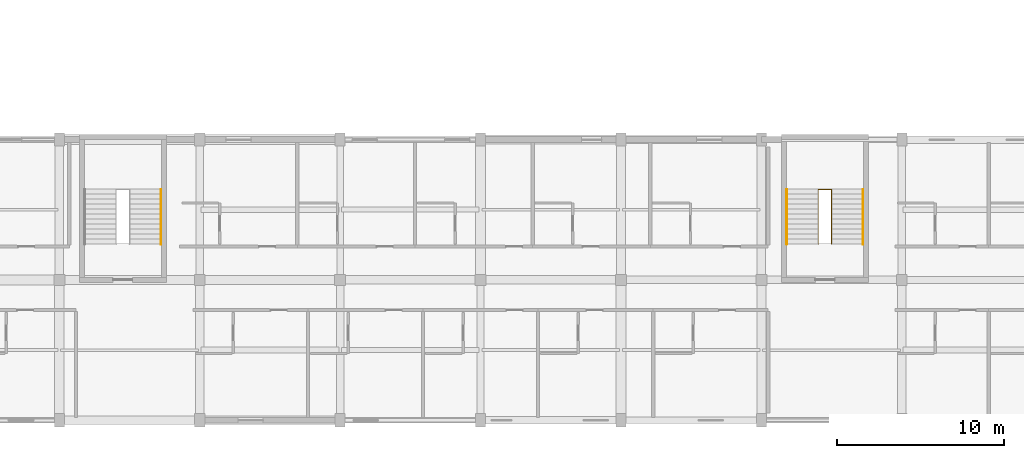
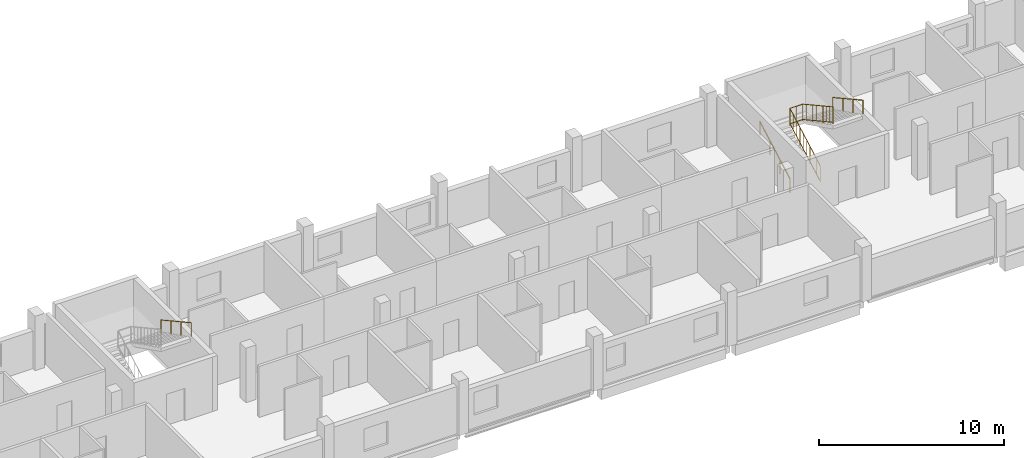
# One storey, part 26 of 26: 4 railings.
"""IFC4 building model written with IfcOpenShell, lengths in metres."""

from ifc_helpers import new_model, si_unit, derived_unit, direction, frame, origin, origin_2d, place, context, subcontext, project, spatial, circle, extrude, material, layer, layer_set, type_object, element, save


model = new_model("IFC4")

# Units and contexts
model_context = context("Model", 3, precision=1e-05, world=origin(), true_north=direction((0.0, 1.0)))
body_context = subcontext(model_context, "Body", "Model", "MODEL_VIEW")
ifc_project = project(units=[si_unit("LENGTHUNIT", "METRE"), si_unit("AREAUNIT", "SQUARE_METRE"), si_unit("VOLUMEUNIT", "CUBIC_METRE"), si_unit("PLANEANGLEUNIT", "RADIAN"), si_unit("MASSUNIT", "GRAM", prefix="KILO"), derived_unit("THERMALTRANSMITTANCEUNIT", [(si_unit("POWERUNIT", "WATT"), 1), (si_unit("LENGTHUNIT", "METRE"), -2), (si_unit("THERMODYNAMICTEMPERATUREUNIT", "KELVIN"), -1)])], contexts=[model_context])

# Site, building, storey
site_placement = place(None, origin())
site = spatial("IfcSite", under=ifc_project, at=site_placement, CompositionType="ELEMENT")
building_placement = place(site_placement, origin())
building = spatial("IfcBuilding", under=site, at=building_placement, Name="Barrovel Congress Hotel", CompositionType="ELEMENT")
storey_placement = place(building_placement, frame((0.0, 0.0, 21.89990234375)))
storey = spatial("IfcBuildingStorey", under=building, at=storey_placement, Name="L05", CompositionType="ELEMENT", Elevation=21.89990234375)

# Railings
ifc_material_1 = material(Name="Painted Architectural Steel", Category="steel")
ifc_layer_1 = layer(ifc_material_1, 0.070068359375)
ifc_layer_set_1 = layer_set([ifc_layer_1], Name="Painted Architectural Steel")
railing_type_1 = type_object("IfcRailingType", Name="RAIL-GUARD-INT", PredefinedType="BALUSTRADE", material=ifc_layer_set_1)
railing_1_placement = place(storey_placement, frame((146.199951171875, 14.739990234375, 0.0)))
element("IfcRailing", 1, at=railing_1_placement, inside=storey, type_object=railing_type_1, Name="STAIR:XS-04:L05:GR-W", PredefinedType="BALUSTRADE", context=body_context, shape_type="SweptSolid", body=[
    extrude(circle(Radius=0.02392578125, at=origin_2d()), frame((0.0, 0.0, 1.11572265625), z_axis=(0.0, 0.876041855244, 0.482235075311), x_axis=(-1.0, 0.0, 0.0)), (0.0, 0.0, 1.0), 3.732666015625),
    extrude(circle(Radius=0.02392578125, at=origin_2d()), frame((0.0, 0.0, 0.10009765625), z_axis=(0.0, 0.876041855244, 0.482235075311), x_axis=(-1.0, 0.0, 0.0)), (0.0, 0.0, 1.0), 3.732666015625),
    extrude(circle(Radius=0.010009765625, at=origin_2d()), frame((0.0, 0.36328125, 0.300048828125)), (0.0, 0.0, 1.0), 0.99169921875),
    extrude(circle(Radius=0.010009765625, at=origin_2d()), frame((0.0, 0.7265625, 0.5)), (0.0, 0.0, 1.0), 0.99169921875),
    extrude(circle(Radius=0.010009765625, at=origin_2d()), frame((0.0, 1.090087890625, 0.699951171875)), (0.0, 0.0, 1.0), 0.99169921875),
    extrude(circle(Radius=0.010009765625, at=origin_2d()), frame((0.0, 1.453369140625, 0.89990234375)), (0.0, 0.0, 1.0), 0.99169921875),
    extrude(circle(Radius=0.010009765625, at=origin_2d()), frame((0.0, 1.816650390625, 1.10009765625)), (0.0, 0.0, 1.0), 0.99169921875),
    extrude(circle(Radius=0.010009765625, at=origin_2d()), frame((0.0, 2.179931640625, 1.300048828125)), (0.0, 0.0, 1.0), 0.99169921875),
    extrude(circle(Radius=0.010009765625, at=origin_2d()), frame((0.0, 2.54345703125, 1.5)), (0.0, 0.0, 1.0), 0.99169921875),
    extrude(circle(Radius=0.010009765625, at=origin_2d()), frame((0.0, 2.90673828125, 1.699951171875)), (0.0, 0.0, 1.0), 0.99169921875),
    extrude(circle(Radius=0.02392578125, at=origin_2d()), frame((0.0, 3.27001953125, 2.916015625), z_axis=(1.0, 0.0, 0.0), x_axis=(0.0, 1.0, 0.0)), (0.0, 0.0, 1.0), 0.800048828125),
    extrude(circle(Radius=0.02392578125, at=origin_2d()), frame((0.0, 3.27001953125, 1.900146484375), z_axis=(1.0, 0.0, 0.0), x_axis=(0.0, 1.0, 0.0)), (0.0, 0.0, 1.0), 0.800048828125),
    extrude(circle(Radius=0.010009765625, at=origin_2d()), frame((0.39990234375, 3.27001953125, 1.900146484375)), (0.0, 0.0, 1.0), 0.99169921875),
    extrude(circle(Radius=0.02392578125, at=origin_2d()), frame((0.800048828125, 3.27001953125, 2.916015625), z_axis=(0.0, -0.876041855244, 0.482235075311), x_axis=(1.0, 0.0, 0.0)), (0.0, 0.0, 1.0), 3.732666015625),
    extrude(circle(Radius=0.02392578125, at=origin_2d()), frame((0.800048828125, 3.27001953125, 1.900146484375), z_axis=(0.0, -0.876041855244, 0.482235075311), x_axis=(1.0, 0.0, 0.0)), (0.0, 0.0, 1.0), 3.732666015625),
    extrude(circle(Radius=0.010009765625, at=origin_2d()), frame((0.800048828125, 2.90673828125, 2.10009765625)), (0.0, 0.0, 1.0), 0.99169921875),
    extrude(circle(Radius=0.010009765625, at=origin_2d()), frame((0.800048828125, 2.54345703125, 2.300048828125)), (0.0, 0.0, 1.0), 0.99169921875),
    extrude(circle(Radius=0.010009765625, at=origin_2d()), frame((0.800048828125, 2.179931640625, 2.5)), (0.0, 0.0, 1.0), 0.99169921875),
    extrude(circle(Radius=0.010009765625, at=origin_2d()), frame((0.800048828125, 1.816650390625, 2.699951171875)), (0.0, 0.0, 1.0), 0.99169921875),
    extrude(circle(Radius=0.010009765625, at=origin_2d()), frame((0.800048828125, 1.453369140625, 2.900146484375)), (0.0, 0.0, 1.0), 0.99169921875),
    extrude(circle(Radius=0.010009765625, at=origin_2d()), frame((0.800048828125, 1.090087890625, 3.10009765625)), (0.0, 0.0, 1.0), 0.99169921875),
    extrude(circle(Radius=0.010009765625, at=origin_2d()), frame((0.800048828125, 0.7265625, 3.300048828125)), (0.0, 0.0, 1.0), 0.99169921875),
    extrude(circle(Radius=0.010009765625, at=origin_2d()), frame((0.800048828125, 0.36328125, 3.5)), (0.0, 0.0, 1.0), 0.99169921875),
    extrude(circle(Radius=0.02099609375, at=origin_2d()), origin(), (0.0, 0.0, 1.0), 1.091796875),
    extrude(circle(Radius=0.02099609375, at=origin_2d()), frame((0.0, 1.090087890625, 0.60009765625)), (0.0, 0.0, 1.0), 1.091796875),
    extrude(circle(Radius=0.02099609375, at=origin_2d()), frame((0.0, 2.179931640625, 1.199951171875)), (0.0, 0.0, 1.0), 1.091796875),
    extrude(circle(Radius=0.02099609375, at=origin_2d()), frame((0.0, 3.27001953125, 1.800048828125)), (0.0, 0.0, 1.0), 1.091796875),
    extrude(circle(Radius=0.02099609375, at=origin_2d()), frame((0.800048828125, 3.27001953125, 1.800048828125)), (0.0, 0.0, 1.0), 1.091796875),
    extrude(circle(Radius=0.02099609375, at=origin_2d()), frame((0.800048828125, 2.179931640625, 2.400146484375)), (0.0, 0.0, 1.0), 1.091796875),
    extrude(circle(Radius=0.02099609375, at=origin_2d()), frame((0.800048828125, 1.090087890625, 3.0)), (0.0, 0.0, 1.0), 1.091796875),
    extrude(circle(Radius=0.02099609375, at=origin_2d()), frame((0.800048828125, 0.0, 3.60009765625)), (0.0, 0.0, 1.0), 1.091796875),
])
ifc_material_2 = material(Name="Brushed Stainless Steel", Category="steel")
ifc_layer_2 = layer(ifc_material_2, 0.050048828125)
ifc_layer_set_2 = layer_set([ifc_layer_2], Name="Brushed Stainless Steel")
railing_type_2 = type_object("IfcRailingType", Name="RAIL-HAND", PredefinedType="HANDRAIL", material=ifc_layer_set_2)
railing_2_placement = place(storey_placement, frame((106.8798828125, 18.010009765625, 1.800048828125)))
element("IfcRailing", 2, at=railing_2_placement, inside=storey, type_object=railing_type_2, Name="STAIR:XS-03:L05:HR-2", PredefinedType="HANDRAIL", context=body_context, shape_type="SweptSolid", body=[
    extrude(circle(Radius=0.02392578125, at=origin_2d()), frame((0.0, 0.0, 0.89599609375), z_axis=(0.0, -0.876041855244, 0.482235075311), x_axis=(1.0, 0.0, 0.0)), (0.0, 0.0, 1.0), 3.732666015625),
    extrude(circle(Radius=0.02099609375, at=origin_2d()), origin(), (0.0, 0.0, 1.0), 0.871826171875),
    extrude(circle(Radius=0.02099609375, at=origin_2d()), frame((0.0, -1.090087890625, 0.60009765625)), (0.0, 0.0, 1.0), 0.871826171875),
    extrude(circle(Radius=0.02099609375, at=origin_2d()), frame((0.0, -2.179931640625, 1.199951171875)), (0.0, 0.0, 1.0), 0.871826171875),
    extrude(circle(Radius=0.02099609375, at=origin_2d()), frame((0.0, -3.27001953125, 1.800048828125)), (0.0, 0.0, 1.0), 0.871826171875),
])
railing_3_placement = place(storey_placement, frame((144.320068359375, 14.739990234375, 0.0)))
element("IfcRailing", 3, at=railing_3_placement, inside=storey, type_object=railing_type_2, Name="STAIR:XS-04:L05:HR-1", PredefinedType="HANDRAIL", context=body_context, shape_type="SweptSolid", body=[
    extrude(circle(Radius=0.02392578125, at=origin_2d()), frame((0.0, 0.0, 0.89599609375), z_axis=(0.0, 0.876041855244, 0.482235075311), x_axis=(-1.0, 0.0, 0.0)), (0.0, 0.0, 1.0), 3.732666015625),
    extrude(circle(Radius=0.02099609375, at=origin_2d()), origin(), (0.0, 0.0, 1.0), 0.871826171875),
    extrude(circle(Radius=0.02099609375, at=origin_2d()), frame((0.0, 1.090087890625, 0.60009765625)), (0.0, 0.0, 1.0), 0.871826171875),
    extrude(circle(Radius=0.02099609375, at=origin_2d()), frame((0.0, 2.179931640625, 1.199951171875)), (0.0, 0.0, 1.0), 0.871826171875),
    extrude(circle(Radius=0.02099609375, at=origin_2d()), frame((0.0, 3.27001953125, 1.800048828125)), (0.0, 0.0, 1.0), 0.871826171875),
])
railing_4_placement = place(storey_placement, frame((148.8798828125, 18.010009765625, 1.800048828125)))
element("IfcRailing", 4, at=railing_4_placement, inside=storey, type_object=railing_type_2, Name="STAIR:XS-04:L05:HR-2", PredefinedType="HANDRAIL", context=body_context, shape_type="SweptSolid", body=[
    extrude(circle(Radius=0.02392578125, at=origin_2d()), frame((0.0, 0.0, 0.89599609375), z_axis=(0.0, -0.876041855244, 0.482235075311), x_axis=(1.0, 0.0, 0.0)), (0.0, 0.0, 1.0), 3.732666015625),
    extrude(circle(Radius=0.02099609375, at=origin_2d()), origin(), (0.0, 0.0, 1.0), 0.871826171875),
    extrude(circle(Radius=0.02099609375, at=origin_2d()), frame((0.0, -1.090087890625, 0.60009765625)), (0.0, 0.0, 1.0), 0.871826171875),
    extrude(circle(Radius=0.02099609375, at=origin_2d()), frame((0.0, -2.179931640625, 1.199951171875)), (0.0, 0.0, 1.0), 0.871826171875),
    extrude(circle(Radius=0.02099609375, at=origin_2d()), frame((0.0, -3.27001953125, 1.800048828125)), (0.0, 0.0, 1.0), 0.871826171875),
])

save(model, "model.ifc")
